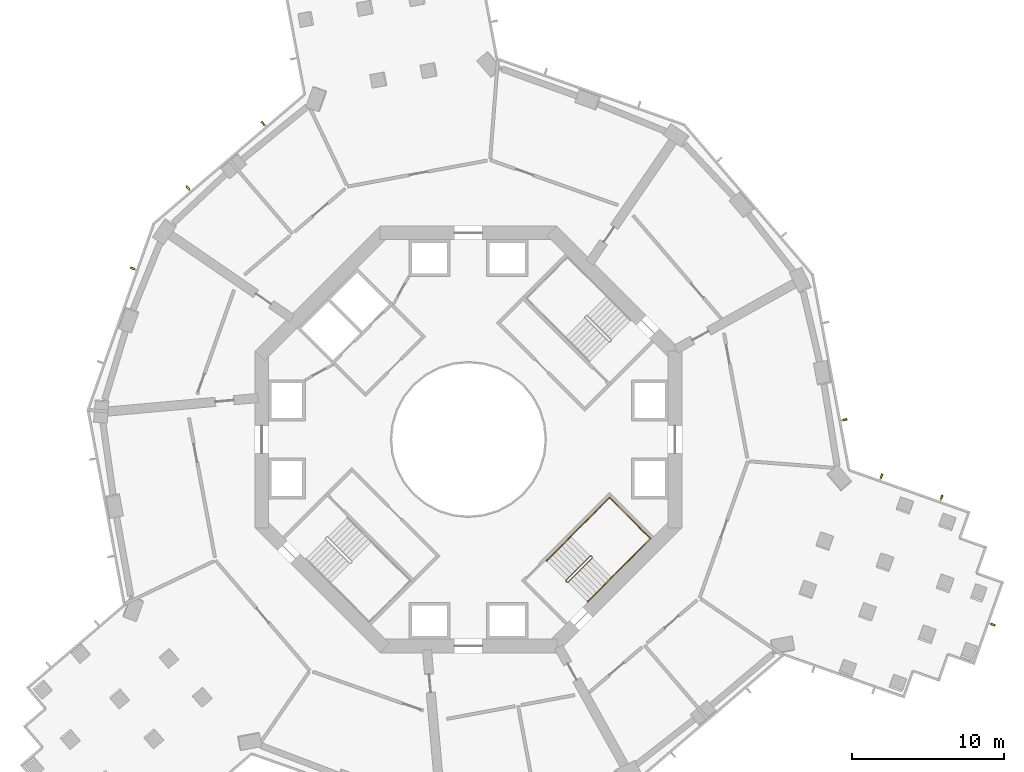
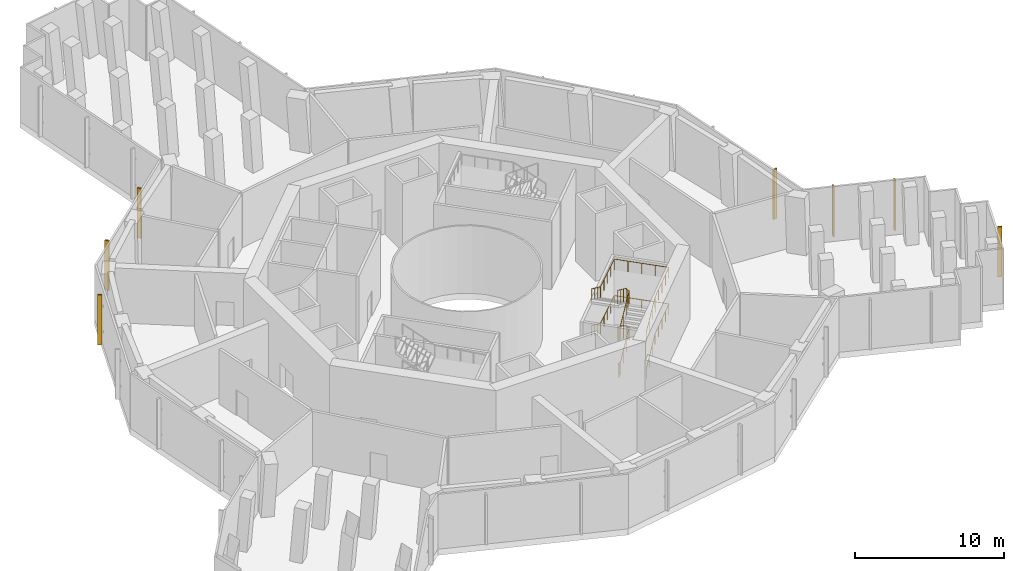
# One storey, part 19 of 20: 7 shading devices, 3 railings.
"""IFC4 building model written with IfcOpenShell, lengths in metres."""

import ifcopenshell
import ifcopenshell.guid

model = None  # the IFC model being written
_history = None  # IfcOwnerHistory: only IFC2X3 demands one
_inside = {}  # id of a spatial element -> (the spatial element, [elements in it])
_under = {}  # id of a project, library or spatial element -> (it, [spatial elements below it])
_declared = {}  # id of a project -> (the project, [libraries it declares])
_typed = {}  # id of a type object -> (the type object, [elements of that type])
_made_of = {}  # id of a material, layer set ... -> (it, [elements and type objects made of it])


def new_model(schema):
    """Start an empty IFC model of exactly this schema.

    Asked for "IFC4X3", IfcOpenShell would pick the latest addendum, in which some entities
    have other attributes; the version numbers below select the first issue.
    IFC2X3 requires an IfcOwnerHistory on every rooted entity: one is made here for all.
    """
    global model, _history
    if schema == "IFC4X3":
        model = ifcopenshell.file(schema_version=(4, 3, 0, 0))
    else:
        model = ifcopenshell.file(schema=schema)
    _inside.clear()
    _under.clear()
    _declared.clear()
    _typed.clear()
    _made_of.clear()
    _history = None
    if model.schema == "IFC2X3":
        org = make("IfcOrganization", Name="unknown")
        user = make(
            "IfcPersonAndOrganization",
            ThePerson=make("IfcPerson", FamilyName="unknown"),
            TheOrganization=org,
        )
        app = make(
            "IfcApplication",
            ApplicationDeveloper=org,
            Version="unknown",
            ApplicationFullName="unknown",
            ApplicationIdentifier="unknown",
        )
        _history = make(
            "IfcOwnerHistory",
            OwningUser=user,
            OwningApplication=app,
            ChangeAction="ADDED",
            CreationDate=0,
        )
    return model


def make(cls, **values):
    """One entity of the class cls with the attributes given. An attribute that is None is left unset."""
    return model.create_entity(
        cls, **{name: value for name, value in values.items() if value is not None}
    )


def rooted(cls, **values):
    """An entity with a GlobalId (a new one), such as an element, a storey or a relation."""
    return make(cls, GlobalId=ifcopenshell.guid.new(), OwnerHistory=_history, **values)


def si_unit(unit_type, name, prefix=None):
    """IfcSIUnit, for example si_unit("LENGTHUNIT", "METRE", prefix="MILLI")."""
    return make("IfcSIUnit", UnitType=unit_type, Prefix=prefix, Name=name)


def assignment(units):
    """IfcUnitAssignment: the units of a project."""
    return None if units is None else make("IfcUnitAssignment", Units=units)


def point(xyz):
    """IfcCartesianPoint."""
    return None if xyz is None else make("IfcCartesianPoint", Coordinates=xyz)


def direction(xyz):
    """IfcDirection."""
    return None if xyz is None else make("IfcDirection", DirectionRatios=xyz)


def frame(location, z_axis=None, x_axis=None):
    """IfcAxis2Placement3D, a coordinate frame: its origin and axes. An axis left out is left unset."""
    return make(
        "IfcAxis2Placement3D",
        Location=point(location),
        Axis=direction(z_axis),
        RefDirection=direction(x_axis),
    )


def frame_2d(location, x_axis=None):
    """IfcAxis2Placement2D, a coordinate frame in the plane: its origin and x axis."""
    return make(
        "IfcAxis2Placement2D", Location=point(location), RefDirection=direction(x_axis)
    )


def origin():
    """The frame at (0, 0, 0) with its axes left unset."""
    return frame((0.0, 0.0, 0.0))


def origin_2d():
    """The frame at (0, 0) in the plane with its x axis left unset."""
    return frame_2d((0.0, 0.0))


def place(relative_to, where):
    """IfcLocalPlacement: puts the frame where relative to a parent placement (None: the world)."""
    return make(
        "IfcLocalPlacement", PlacementRelTo=relative_to, RelativePlacement=where
    )


def context(
    kind, dimensions, precision=None, world=None, true_north=None, identifier=None
):
    """IfcGeometricRepresentationContext, for example the 3D "Model" context."""
    return make(
        "IfcGeometricRepresentationContext",
        ContextIdentifier=identifier,
        ContextType=kind,
        CoordinateSpaceDimension=dimensions,
        Precision=precision,
        WorldCoordinateSystem=world,
        TrueNorth=true_north,
    )


def subcontext(parent, identifier, kind, view, scale=None):
    """IfcGeometricRepresentationSubContext, for example "Body" below "Model"."""
    return make(
        "IfcGeometricRepresentationSubContext",
        ContextIdentifier=identifier,
        ContextType=kind,
        ParentContext=parent,
        TargetScale=scale,
        TargetView=view,
    )


def project(units=None, contexts=None):
    """IfcProject with its units and contexts."""
    return rooted(
        "IfcProject",
        Name="project",
        RepresentationContexts=contexts,
        UnitsInContext=assignment(units),
    )


def spatial(cls, under=None, at=None, **own):
    """A site, building, storey or space (cls), placed at a placement, below another one or the project."""
    s = rooted(cls, ObjectPlacement=at, **own)
    if under is not None:
        _under.setdefault(under.id(), (under, []))[1].append(s)
    return s


def profile(cls, at=None, kind="AREA", **sizes):
    """A parametric profile (cls). Its sizes go by their IFC names, for example OverallWidth=200.0."""
    return make(cls, ProfileType=kind, Position=at, **sizes)


def rectangle(**sizes):
    """IfcRectangleProfileDef."""
    return profile("IfcRectangleProfileDef", **sizes)


def circle(**sizes):
    """IfcCircleProfileDef."""
    return profile("IfcCircleProfileDef", **sizes)


def extrude(swept, where, along, depth):
    """IfcExtrudedAreaSolid: the profile swept, set in the frame where, extruded along a direction by depth."""
    return make(
        "IfcExtrudedAreaSolid",
        SweptArea=swept,
        Position=where,
        ExtrudedDirection=direction(along),
        Depth=depth,
    )


def shape(context_of_items, identifier, shape_type, items):
    """IfcShapeRepresentation: the items that make up one representation, for example the "Body"."""
    return make(
        "IfcShapeRepresentation",
        ContextOfItems=context_of_items,
        RepresentationIdentifier=identifier,
        RepresentationType=shape_type,
        Items=items,
    )


def material(Name=None, Category=None):
    """IfcMaterial."""
    return make("IfcMaterial", Name=Name, Category=Category)


def material_profile(
    of_material, cross_section, Name=None, Category=None, Priority=None
):
    """IfcMaterialProfile: a cross section and its material."""
    return make(
        "IfcMaterialProfile",
        Name=Name,
        Material=of_material,
        Profile=cross_section,
        Priority=Priority,
        Category=Category,
    )


def profile_set(profiles, Name=None, composite=None):
    """IfcMaterialProfileSet."""
    return make(
        "IfcMaterialProfileSet",
        Name=Name,
        MaterialProfiles=profiles,
        CompositeProfile=composite,
    )


def made_of(thing, what):
    """Note that an element or type object is made of a material, layer set ...; save() writes the relation."""
    if what is not None:
        _made_of.setdefault(what.id(), (what, []))[1].append(thing)
    return thing


def type_object(cls, material=None, **own):
    """A type object (cls), such as IfcWallType, which elements share."""
    return made_of(rooted(cls, **own), material)


def element(
    cls,
    number,
    at=None,
    inside=None,
    cuts=None,
    type_object=None,
    material=None,
    context=None,
    identifier="Body",
    shape_type=None,
    held_by="IfcProductDefinitionShape",
    body=None,
    shapes=None,
    **own,
):
    """One element of the class cls, such as IfcWall. Its Tag is "e" and its number.

    at: its placement. inside: the storey or other place that contains it. cuts: it is an
    opening in that element (IfcRelVoidsElement). A single representation is given by context,
    identifier, shape_type and body (its items); several are given by shapes. held_by: the class
    of the entity that holds the representations. save() writes the other relations.
    """
    e = rooted(cls, Tag="e%d" % number, ObjectPlacement=at, **own)
    if body is not None:
        shapes = [shape(context, identifier, shape_type, body)]
    if shapes is not None:
        e.Representation = make(held_by, Representations=shapes)
    if inside is not None:
        _inside.setdefault(inside.id(), (inside, []))[1].append(e)
    if cuts is not None:
        rooted(
            "IfcRelVoidsElement", RelatingBuildingElement=cuts, RelatedOpeningElement=e
        )
    if type_object is not None:
        _typed.setdefault(type_object.id(), (type_object, []))[1].append(e)
    return made_of(e, material)


def aggregate(whole, parts):
    """IfcRelAggregates: a whole, such as a stair, and the parts it consists of."""
    return rooted("IfcRelAggregates", RelatingObject=whole, RelatedObjects=parts)


def save(model, path):
    """Write the relations noted so far, then the file.

    IfcRelAggregates (storeys below a building ...), IfcRelContainedInSpatialStructure (elements
    in a storey), IfcRelDefinesByType, IfcRelAssociatesMaterial and IfcRelDeclares: one each for
    every whole, place, type object, material and project.
    """
    for whole, parts in _under.values():
        aggregate(whole, parts)
    for where, things in _inside.values():
        rooted(
            "IfcRelContainedInSpatialStructure",
            RelatedElements=things,
            RelatingStructure=where,
        )
    for kind, things in _typed.values():
        rooted("IfcRelDefinesByType", RelatedObjects=things, RelatingType=kind)
    for what, things in _made_of.values():
        rooted("IfcRelAssociatesMaterial", RelatedObjects=things, RelatingMaterial=what)
    for by, libraries in _declared.values():
        rooted("IfcRelDeclares", RelatingContext=by, RelatedDefinitions=libraries)
    model.write(path)


model = new_model("IFC4")

# Units and contexts
model_context = context("Model", 3, precision=1e-05, world=origin(), true_north=direction((0.0, 1.0)))
body_context = subcontext(model_context, "Body", "Model", "MODEL_VIEW")
ifc_project = project(units=[si_unit("LENGTHUNIT", "METRE"), si_unit("AREAUNIT", "SQUARE_METRE"), si_unit("VOLUMEUNIT", "CUBIC_METRE"), si_unit("PLANEANGLEUNIT", "RADIAN"), si_unit("MASSUNIT", "GRAM", prefix="KILO")], contexts=[model_context])

# Site, building, storey
site_placement = place(None, origin())
site = spatial("IfcSite", under=ifc_project, at=site_placement, CompositionType="ELEMENT")
building_placement = place(site_placement, origin())
building = spatial("IfcBuilding", under=site, at=building_placement, Name="Verdalira Terraces Hotel", CompositionType="ELEMENT")
storey_placement = place(building_placement, frame((0.0, 0.0, 75.0)))
storey = spatial("IfcBuildingStorey", under=building, at=storey_placement, Name="L17", CompositionType="ELEMENT", Elevation=75.0)

# Railings
ifc_material_1 = material(Name="Stainless steel", Category="steel")
railing_type_1 = type_object("IfcRailingType", Name="Stair guard 1100", PredefinedType="GUARDRAIL", material=ifc_material_1)
railing_1_placement = place(storey_placement, frame((6.469971, -9.369141, 0.0)))
element("IfcRailing", 1, at=railing_1_placement, inside=storey, type_object=railing_type_1, Name="L17 ST3 stair guard 1", PredefinedType="GUARDRAIL", context=body_context, shape_type="SweptSolid", body=[
    extrude(circle(Radius=0.023926, at=origin_2d()), frame((0.0, 0.0, 1.076172), z_axis=(-0.705884473, 0.70832698, 0.0), x_axis=(-0.70832698, -0.705884473, 0.0)), (0.0, 0.0, 1.0), 0.099854),
    extrude(circle(Radius=0.023926, at=origin_2d()), frame((-0.070557, 0.070801, 1.076172), z_axis=(0.615181649, -0.308122069, 0.725680598), x_axis=(0.447831187, 0.894118129, 0.0)), (0.0, 0.0, 1.0), 0.229736),
    extrude(circle(Radius=0.023926, at=origin_2d()), frame((0.070801, 0.0, 1.242676), z_axis=(0.607628069, 0.607628069, 0.511445266), x_axis=(-0.707106781, 0.707106781, 0.0)), (0.0, 0.0, 1.0), 2.606934),
    extrude(circle(Radius=0.023926, at=origin_2d()), frame((1.654785, 1.583984, 2.576172), z_axis=(0.0, 1.0, 0.0), x_axis=(-1.0, 0.0, 0.0)), (0.0, 0.0, 1.0), 0.070557),
    extrude(circle(Radius=0.023926, at=origin_2d()), frame((1.654785, 1.654541, 2.576172), z_axis=(-0.707106781, 0.707106781, 0.0), x_axis=(-0.707106781, -0.707106781, 0.0)), (0.0, 0.0, 1.0), 0.100098),
    extrude(circle(Radius=0.023926, at=origin_2d()), frame((1.583984, 1.725342, 2.576172), z_axis=(-0.390826706, 0.0, 0.920464277), x_axis=(0.0, -1.0, 0.0)), (0.0, 0.0, 1.0), 0.181152),
    extrude(circle(Radius=0.023926, at=origin_2d()), frame((1.513184, 1.725342, 2.742676), z_axis=(-0.607568988, -0.607662647, 0.511474371), x_axis=(0.707161277, -0.707052281, 0.0)), (0.0, 0.0, 1.0), 2.606689),
    extrude(circle(Radius=0.023926, at=origin_2d()), frame((-0.070557, 0.141357, 4.076172), z_axis=(0.0, -1.0, 0.0), x_axis=(1.0, 0.0, 0.0)), (0.0, 0.0, 1.0), 0.070557),
    extrude(circle(Radius=0.023926, at=origin_2d()), frame((-0.070557, 0.070801, 4.076172), z_axis=(0.705884473, -0.70832698, 0.0), x_axis=(0.70832698, 0.705884473, 0.0)), (0.0, 0.0, 1.0), 0.099854),
    extrude(circle(Radius=0.023926, at=origin_2d()), frame((0.0, 0.0, 4.076172), z_axis=(0.390826706, 0.0, 0.920464277), x_axis=(0.0, 1.0, 0.0)), (0.0, 0.0, 1.0), 0.181152),
    extrude(circle(Radius=0.023926, at=origin_2d()), frame((0.070801, 0.0, 4.242676), z_axis=(0.607628069, 0.607628069, 0.511445266), x_axis=(-0.707106781, 0.707106781, 0.0)), (0.0, 0.0, 1.0), 2.606934),
    extrude(circle(Radius=0.023926, at=origin_2d()), frame((1.654785, 1.583984, 5.576172), z_axis=(0.0, 1.0, 0.0), x_axis=(-1.0, 0.0, 0.0)), (0.0, 0.0, 1.0), 0.070557),
    extrude(circle(Radius=0.023926, at=origin_2d()), frame((1.654785, 1.654541, 5.576172), z_axis=(-0.707106781, 0.707106781, 0.0), x_axis=(-0.707106781, -0.707106781, 0.0)), (0.0, 0.0, 1.0), 0.100098),
    extrude(circle(Radius=0.023926, at=origin_2d()), frame((1.583984, 1.725342, 5.576172), z_axis=(-0.390826706, 0.0, 0.920464277), x_axis=(0.0, -1.0, 0.0)), (0.0, 0.0, 1.0), 0.181152),
    extrude(circle(Radius=0.023926, at=origin_2d()), frame((1.513184, 1.725342, 5.742676), z_axis=(-0.607568988, -0.607662647, 0.511474371), x_axis=(0.707161277, -0.707052281, 0.0)), (0.0, 0.0, 1.0), 2.606689),
    extrude(circle(Radius=0.020996, at=origin_2d()), origin(), (0.0, 0.0, 1.0), 1.052002),
    extrude(circle(Radius=0.020996, at=origin_2d()), frame((-0.070557, 0.070801, 0.0)), (0.0, 0.0, 1.0), 1.052002),
    extrude(circle(Radius=0.020996, at=origin_2d()), frame((0.070801, 0.0, 0.166748)), (0.0, 0.0, 1.0), 1.052002),
    extrude(circle(Radius=0.020996, at=origin_2d()), frame((0.598877, 0.528076, 0.611084)), (0.0, 0.0, 1.0), 1.052002),
    extrude(circle(Radius=0.020996, at=origin_2d()), frame((1.126709, 1.055908, 1.055664)), (0.0, 0.0, 1.0), 1.052002),
    extrude(circle(Radius=0.020996, at=origin_2d()), frame((1.654785, 1.583984, 1.5)), (0.0, 0.0, 1.0), 1.052002),
    extrude(circle(Radius=0.020996, at=origin_2d()), frame((1.654785, 1.654541, 1.5)), (0.0, 0.0, 1.0), 1.052002),
    extrude(circle(Radius=0.020996, at=origin_2d()), frame((1.583984, 1.725342, 1.5)), (0.0, 0.0, 1.0), 1.052002),
    extrude(circle(Radius=0.020996, at=origin_2d()), frame((1.513184, 1.725342, 1.666748)), (0.0, 0.0, 1.0), 1.052002),
    extrude(circle(Radius=0.020996, at=origin_2d()), frame((0.985352, 1.197266, 2.111084)), (0.0, 0.0, 1.0), 1.052002),
    extrude(circle(Radius=0.020996, at=origin_2d()), frame((0.457275, 0.669434, 2.555664)), (0.0, 0.0, 1.0), 1.052002),
    extrude(circle(Radius=0.020996, at=origin_2d()), frame((-0.070557, 0.141357, 3.0)), (0.0, 0.0, 1.0), 1.052002),
    extrude(circle(Radius=0.020996, at=origin_2d()), frame((-0.070557, 0.070801, 3.0)), (0.0, 0.0, 1.0), 1.052002),
    extrude(circle(Radius=0.020996, at=origin_2d()), frame((0.0, 0.0, 3.0)), (0.0, 0.0, 1.0), 1.052002),
    extrude(circle(Radius=0.020996, at=origin_2d()), frame((0.070801, 0.0, 3.166748)), (0.0, 0.0, 1.0), 1.052002),
    extrude(circle(Radius=0.020996, at=origin_2d()), frame((0.598877, 0.528076, 3.611084)), (0.0, 0.0, 1.0), 1.052002),
    extrude(circle(Radius=0.020996, at=origin_2d()), frame((1.126709, 1.055908, 4.055664)), (0.0, 0.0, 1.0), 1.052002),
    extrude(circle(Radius=0.020996, at=origin_2d()), frame((1.654785, 1.583984, 4.5)), (0.0, 0.0, 1.0), 1.052002),
    extrude(circle(Radius=0.020996, at=origin_2d()), frame((1.654785, 1.654541, 4.5)), (0.0, 0.0, 1.0), 1.052002),
    extrude(circle(Radius=0.020996, at=origin_2d()), frame((1.583984, 1.725342, 4.5)), (0.0, 0.0, 1.0), 1.052002),
    extrude(circle(Radius=0.020996, at=origin_2d()), frame((1.513184, 1.725342, 4.666748)), (0.0, 0.0, 1.0), 1.052002),
    extrude(circle(Radius=0.020996, at=origin_2d()), frame((0.985352, 1.197266, 5.111084)), (0.0, 0.0, 1.0), 1.052002),
    extrude(circle(Radius=0.020996, at=origin_2d()), frame((0.457275, 0.669434, 5.555664)), (0.0, 0.0, 1.0), 1.052002),
    extrude(circle(Radius=0.020996, at=origin_2d()), frame((-0.070557, 0.141357, 6.0)), (0.0, 0.0, 1.0), 1.052002),
])
ifc_material_2 = material(Name="Stainless steel", Category="steel")
railing_type_2 = type_object("IfcRailingType", Name="Stair handrail 900", PredefinedType="HANDRAIL", material=ifc_material_2)
railing_2_placement = place(storey_placement, frame((7.813477, -10.641846, 0.166748)))
element("IfcRailing", 2, at=railing_2_placement, inside=storey, type_object=railing_type_2, Name="L17 ST3 stair handrail 1", PredefinedType="HANDRAIL", context=body_context, shape_type="SweptSolid", body=[
    extrude(circle(Radius=0.023926, at=origin_2d()), frame((0.0, 0.0, 0.875977), z_axis=(0.607662647, 0.607568988, 0.511474371), x_axis=(-0.707052281, 0.707161277, 0.0)), (0.0, 0.0, 1.0), 2.606689),
    extrude(circle(Radius=0.023926, at=origin_2d()), frame((1.583984, 1.58374, 2.208984), z_axis=(0.707106781, 0.707106781, 0.0), x_axis=(-0.707106781, 0.707106781, 0.0)), (0.0, 0.0, 1.0), 3.610107),
    extrude(circle(Radius=0.023926, at=origin_2d()), frame((4.136719, 4.136475, 2.208984), z_axis=(-0.707106781, 0.707106781, 0.0), x_axis=(-0.707106781, -0.707106781, 0.0)), (0.0, 0.0, 1.0), 3.800049),
    extrude(circle(Radius=0.023926, at=origin_2d()), frame((1.449707, 6.823486, 2.208984), z_axis=(-0.706353701, -0.706353701, 0.046139975), x_axis=(0.707106781, -0.707106781, 0.0)), (0.0, 0.0, 1.0), 3.614014),
    extrude(circle(Radius=0.023926, at=origin_2d()), frame((-1.103027, 4.270752, 2.375977), z_axis=(-0.607662647, -0.607568988, 0.511474371), x_axis=(0.707052281, -0.707161277, 0.0)), (0.0, 0.0, 1.0), 2.606689),
    extrude(circle(Radius=0.020996, at=origin_2d()), origin(), (0.0, 0.0, 1.0), 0.851807),
    extrude(circle(Radius=0.020996, at=origin_2d()), frame((0.528076, 0.527832, 0.444336)), (0.0, 0.0, 1.0), 0.851807),
    extrude(circle(Radius=0.020996, at=origin_2d()), frame((1.055908, 1.055908, 0.888916)), (0.0, 0.0, 1.0), 0.851807),
    extrude(circle(Radius=0.020996, at=origin_2d()), frame((1.583984, 1.58374, 1.333252)), (0.0, 0.0, 1.0), 0.851807),
    extrude(circle(Radius=0.020996, at=origin_2d()), frame((2.222168, 2.221924, 1.333252)), (0.0, 0.0, 1.0), 0.851807),
    extrude(circle(Radius=0.020996, at=origin_2d()), frame((2.860352, 2.860107, 1.333252)), (0.0, 0.0, 1.0), 0.851807),
    extrude(circle(Radius=0.020996, at=origin_2d()), frame((3.498535, 3.498291, 1.333252)), (0.0, 0.0, 1.0), 0.851807),
    extrude(circle(Radius=0.020996, at=origin_2d()), frame((4.136719, 4.136475, 1.333252)), (0.0, 0.0, 1.0), 0.851807),
    extrude(circle(Radius=0.020996, at=origin_2d()), frame((3.464844, 4.808105, 1.333252)), (0.0, 0.0, 1.0), 0.851807),
    extrude(circle(Radius=0.020996, at=origin_2d()), frame((2.793213, 5.47998, 1.333252)), (0.0, 0.0, 1.0), 0.851807),
    extrude(circle(Radius=0.020996, at=origin_2d()), frame((2.121582, 6.151855, 1.333252)), (0.0, 0.0, 1.0), 0.851807),
    extrude(circle(Radius=0.020996, at=origin_2d()), frame((1.449707, 6.823486, 1.333252)), (0.0, 0.0, 1.0), 0.851807),
    extrude(circle(Radius=0.020996, at=origin_2d()), frame((0.811523, 6.185303, 1.375)), (0.0, 0.0, 1.0), 0.851807),
    extrude(circle(Radius=0.020996, at=origin_2d()), frame((0.17334, 5.547119, 1.416504)), (0.0, 0.0, 1.0), 0.851807),
    extrude(circle(Radius=0.020996, at=origin_2d()), frame((-0.464844, 4.908936, 1.458252)), (0.0, 0.0, 1.0), 0.851807),
    extrude(circle(Radius=0.020996, at=origin_2d()), frame((-1.103027, 4.270752, 1.5)), (0.0, 0.0, 1.0), 0.851807),
    extrude(circle(Radius=0.020996, at=origin_2d()), frame((-1.631104, 3.74292, 1.944336)), (0.0, 0.0, 1.0), 0.851807),
    extrude(circle(Radius=0.020996, at=origin_2d()), frame((-2.158936, 3.214844, 2.388916)), (0.0, 0.0, 1.0), 0.851807),
    extrude(circle(Radius=0.020996, at=origin_2d()), frame((-2.687012, 2.687012, 2.833252)), (0.0, 0.0, 1.0), 0.851807),
])
railing_3_placement = place(storey_placement, frame((7.813477, -10.641846, 3.166748)))
element("IfcRailing", 3, at=railing_3_placement, inside=storey, type_object=railing_type_2, Name="L17 ST3 stair handrail 2", PredefinedType="HANDRAIL", context=body_context, shape_type="SweptSolid", body=[
    extrude(circle(Radius=0.023926, at=origin_2d()), frame((0.0, 0.0, 0.875977), z_axis=(0.607662647, 0.607568988, 0.511474371), x_axis=(-0.707052281, 0.707161277, 0.0)), (0.0, 0.0, 1.0), 2.606689),
    extrude(circle(Radius=0.023926, at=origin_2d()), frame((1.583984, 1.58374, 2.208984), z_axis=(0.707106781, 0.707106781, 0.0), x_axis=(-0.707106781, 0.707106781, 0.0)), (0.0, 0.0, 1.0), 3.610107),
    extrude(circle(Radius=0.023926, at=origin_2d()), frame((4.136719, 4.136475, 2.208984), z_axis=(-0.707106781, 0.707106781, 0.0), x_axis=(-0.707106781, -0.707106781, 0.0)), (0.0, 0.0, 1.0), 3.800049),
    extrude(circle(Radius=0.023926, at=origin_2d()), frame((1.449707, 6.823486, 2.208984), z_axis=(-0.706353701, -0.706353701, 0.046139975), x_axis=(0.707106781, -0.707106781, 0.0)), (0.0, 0.0, 1.0), 3.614014),
    extrude(circle(Radius=0.023926, at=origin_2d()), frame((-1.103027, 4.270752, 2.375977), z_axis=(-0.607662647, -0.607568988, 0.511474371), x_axis=(0.707052281, -0.707161277, 0.0)), (0.0, 0.0, 1.0), 2.606689),
    extrude(circle(Radius=0.020996, at=origin_2d()), origin(), (0.0, 0.0, 1.0), 0.851807),
    extrude(circle(Radius=0.020996, at=origin_2d()), frame((0.528076, 0.527832, 0.444336)), (0.0, 0.0, 1.0), 0.851807),
    extrude(circle(Radius=0.020996, at=origin_2d()), frame((1.055908, 1.055908, 0.888916)), (0.0, 0.0, 1.0), 0.851807),
    extrude(circle(Radius=0.020996, at=origin_2d()), frame((1.583984, 1.58374, 1.333252)), (0.0, 0.0, 1.0), 0.851807),
    extrude(circle(Radius=0.020996, at=origin_2d()), frame((2.222168, 2.221924, 1.333252)), (0.0, 0.0, 1.0), 0.851807),
    extrude(circle(Radius=0.020996, at=origin_2d()), frame((2.860352, 2.860107, 1.333252)), (0.0, 0.0, 1.0), 0.851807),
    extrude(circle(Radius=0.020996, at=origin_2d()), frame((3.498535, 3.498291, 1.333252)), (0.0, 0.0, 1.0), 0.851807),
    extrude(circle(Radius=0.020996, at=origin_2d()), frame((4.136719, 4.136475, 1.333252)), (0.0, 0.0, 1.0), 0.851807),
    extrude(circle(Radius=0.020996, at=origin_2d()), frame((3.464844, 4.808105, 1.333252)), (0.0, 0.0, 1.0), 0.851807),
    extrude(circle(Radius=0.020996, at=origin_2d()), frame((2.793213, 5.47998, 1.333252)), (0.0, 0.0, 1.0), 0.851807),
    extrude(circle(Radius=0.020996, at=origin_2d()), frame((2.121582, 6.151855, 1.333252)), (0.0, 0.0, 1.0), 0.851807),
    extrude(circle(Radius=0.020996, at=origin_2d()), frame((1.449707, 6.823486, 1.333252)), (0.0, 0.0, 1.0), 0.851807),
    extrude(circle(Radius=0.020996, at=origin_2d()), frame((0.811523, 6.185303, 1.375)), (0.0, 0.0, 1.0), 0.851807),
    extrude(circle(Radius=0.020996, at=origin_2d()), frame((0.17334, 5.547119, 1.416504)), (0.0, 0.0, 1.0), 0.851807),
    extrude(circle(Radius=0.020996, at=origin_2d()), frame((-0.464844, 4.908936, 1.458252)), (0.0, 0.0, 1.0), 0.851807),
    extrude(circle(Radius=0.020996, at=origin_2d()), frame((-1.103027, 4.270752, 1.5)), (0.0, 0.0, 1.0), 0.851807),
    extrude(circle(Radius=0.020996, at=origin_2d()), frame((-1.631104, 3.74292, 1.944336)), (0.0, 0.0, 1.0), 0.851807),
    extrude(circle(Radius=0.020996, at=origin_2d()), frame((-2.158936, 3.214844, 2.388916)), (0.0, 0.0, 1.0), 0.851807),
    extrude(circle(Radius=0.020996, at=origin_2d()), frame((-2.687012, 2.687012, 2.833252)), (0.0, 0.0, 1.0), 0.851807),
])

# Shading devices
ifc_material_3 = material(Name="Terracotta frame", Category="masonry")
ifc_material_profile = material_profile(ifc_material_3, rectangle(XDim=0.120117, YDim=0.300049, at=origin_2d()), Name="FIN 120x300")
ifc_profile_set = profile_set([ifc_material_profile], Name="Terracotta frame")
shading_device_type = type_object("IfcShadingDeviceType", Name="Terracotta fin 120x300", PredefinedType="USERDEFINED", material=ifc_profile_set)
for number, where, z_axis, x_axis, name in (
    (4, (-13.467285, 20.73291, 0.199951), (0.0, 0.0, 1.0), (-0.759725448, -0.650243987, 0.0), "Terracotta fin"),
    (5, (-18.405518, 16.506348, 0.199951), (0.0, 0.0, 1.0), (-0.759725448, -0.650243987, 0.0), "Terracotta fin"),
    (6, (-22.029541, 11.22168, 0.199951), (0.0, 0.0, 1.0), (-0.332819545, -0.942990536, 0.0), "Terracotta fin"),
    (7, (34.398682, -12.140625, 0.199951), (0.0, 0.0, 1.0), (0.332819545, 0.942990536, 0.0), "Terracotta fin"),
    (8, (31.041504, -3.797607, 0.199951), (0.0, 0.0, 1.0), (-0.942990536, 0.332819545, 0.0), "Terracotta fin"),
    (9, (27.095215, -2.404785, 0.199951), (0.0, 0.0, 1.0), (-0.942990536, 0.332819545, 0.0), "Terracotta fin"),
    (10, (24.688965, 1.296631, 0.199951), (0.0, 0.0, 1.0), (-0.183265088, 0.983063532, 0.0), "Terracotta fin"),
):
    element("IfcShadingDevice", number, at=place(storey_placement, frame(where, z_axis=z_axis, x_axis=x_axis)), inside=storey, type_object=shading_device_type, Name=name, ObjectType="FIN", PredefinedType="USERDEFINED", context=body_context, shape_type="SweptSolid", body=[
        extrude(rectangle(XDim=0.120117, YDim=0.300049, at=origin_2d()), origin(), (0.0, 0.0, 1.0), 4.100098),
    ])

save(model, "model.ifc")
